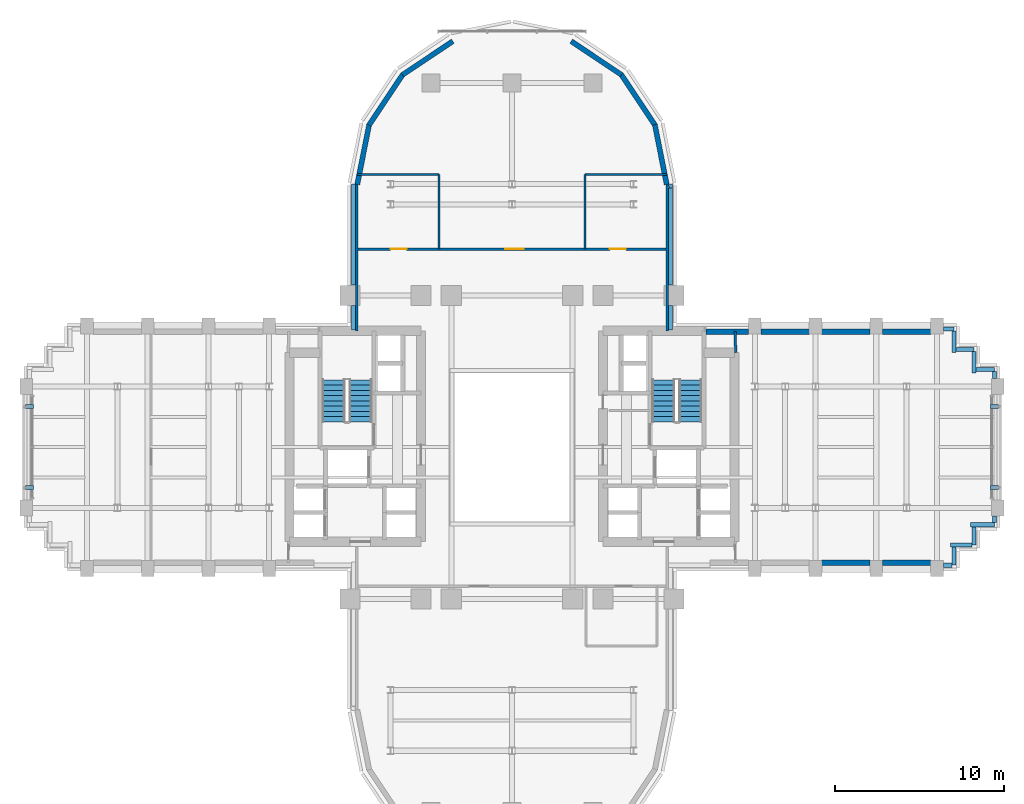
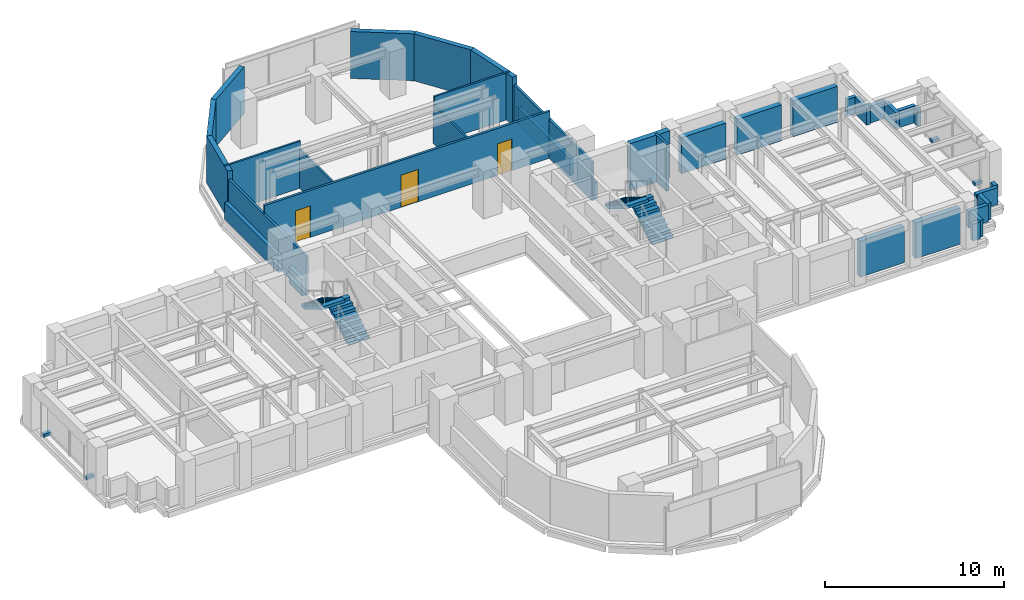
# One storey, part 12 of 16: 37 walls, 4 discrete accessories, 4 stair flights, 3 doors, 3 openings, 2 elements without a shape of their own.
"""IFC4 building model written with IfcOpenShell, lengths in metres."""

import ifcopenshell
import ifcopenshell.guid

model = None  # the IFC model being written
_history = None  # IfcOwnerHistory: only IFC2X3 demands one
_inside = {}  # id of a spatial element -> (the spatial element, [elements in it])
_under = {}  # id of a project, library or spatial element -> (it, [spatial elements below it])
_declared = {}  # id of a project -> (the project, [libraries it declares])
_typed = {}  # id of a type object -> (the type object, [elements of that type])
_made_of = {}  # id of a material, layer set ... -> (it, [elements and type objects made of it])


def new_model(schema):
    """Start an empty IFC model of exactly this schema.

    Asked for "IFC4X3", IfcOpenShell would pick the latest addendum, in which some entities
    have other attributes; the version numbers below select the first issue.
    IFC2X3 requires an IfcOwnerHistory on every rooted entity: one is made here for all.
    """
    global model, _history
    if schema == "IFC4X3":
        model = ifcopenshell.file(schema_version=(4, 3, 0, 0))
    else:
        model = ifcopenshell.file(schema=schema)
    _inside.clear()
    _under.clear()
    _declared.clear()
    _typed.clear()
    _made_of.clear()
    _history = None
    if model.schema == "IFC2X3":
        org = make("IfcOrganization", Name="unknown")
        user = make(
            "IfcPersonAndOrganization",
            ThePerson=make("IfcPerson", FamilyName="unknown"),
            TheOrganization=org,
        )
        app = make(
            "IfcApplication",
            ApplicationDeveloper=org,
            Version="unknown",
            ApplicationFullName="unknown",
            ApplicationIdentifier="unknown",
        )
        _history = make(
            "IfcOwnerHistory",
            OwningUser=user,
            OwningApplication=app,
            ChangeAction="ADDED",
            CreationDate=0,
        )
    return model


def make(cls, **values):
    """One entity of the class cls with the attributes given. An attribute that is None is left unset."""
    return model.create_entity(
        cls, **{name: value for name, value in values.items() if value is not None}
    )


def rooted(cls, **values):
    """An entity with a GlobalId (a new one), such as an element, a storey or a relation."""
    return make(cls, GlobalId=ifcopenshell.guid.new(), OwnerHistory=_history, **values)


def si_unit(unit_type, name, prefix=None):
    """IfcSIUnit, for example si_unit("LENGTHUNIT", "METRE", prefix="MILLI")."""
    return make("IfcSIUnit", UnitType=unit_type, Prefix=prefix, Name=name)


def assignment(units):
    """IfcUnitAssignment: the units of a project."""
    return None if units is None else make("IfcUnitAssignment", Units=units)


def point(xyz):
    """IfcCartesianPoint."""
    return None if xyz is None else make("IfcCartesianPoint", Coordinates=xyz)


def direction(xyz):
    """IfcDirection."""
    return None if xyz is None else make("IfcDirection", DirectionRatios=xyz)


def frame(location, z_axis=None, x_axis=None):
    """IfcAxis2Placement3D, a coordinate frame: its origin and axes. An axis left out is left unset."""
    return make(
        "IfcAxis2Placement3D",
        Location=point(location),
        Axis=direction(z_axis),
        RefDirection=direction(x_axis),
    )


def frame_2d(location, x_axis=None):
    """IfcAxis2Placement2D, a coordinate frame in the plane: its origin and x axis."""
    return make(
        "IfcAxis2Placement2D", Location=point(location), RefDirection=direction(x_axis)
    )


def origin():
    """The frame at (0, 0, 0) with its axes left unset."""
    return frame((0.0, 0.0, 0.0))


def origin_2d():
    """The frame at (0, 0) in the plane with its x axis left unset."""
    return frame_2d((0.0, 0.0))


def place(relative_to, where):
    """IfcLocalPlacement: puts the frame where relative to a parent placement (None: the world)."""
    return make(
        "IfcLocalPlacement", PlacementRelTo=relative_to, RelativePlacement=where
    )


def context(
    kind, dimensions, precision=None, world=None, true_north=None, identifier=None
):
    """IfcGeometricRepresentationContext, for example the 3D "Model" context."""
    return make(
        "IfcGeometricRepresentationContext",
        ContextIdentifier=identifier,
        ContextType=kind,
        CoordinateSpaceDimension=dimensions,
        Precision=precision,
        WorldCoordinateSystem=world,
        TrueNorth=true_north,
    )


def subcontext(parent, identifier, kind, view, scale=None):
    """IfcGeometricRepresentationSubContext, for example "Body" below "Model"."""
    return make(
        "IfcGeometricRepresentationSubContext",
        ContextIdentifier=identifier,
        ContextType=kind,
        ParentContext=parent,
        TargetScale=scale,
        TargetView=view,
    )


def project(units=None, contexts=None):
    """IfcProject with its units and contexts."""
    return rooted(
        "IfcProject",
        Name="project",
        RepresentationContexts=contexts,
        UnitsInContext=assignment(units),
    )


def spatial(cls, under=None, at=None, **own):
    """A site, building, storey or space (cls), placed at a placement, below another one or the project."""
    s = rooted(cls, ObjectPlacement=at, **own)
    if under is not None:
        _under.setdefault(under.id(), (under, []))[1].append(s)
    return s


def polyline(points):
    """IfcPolyline through the points."""
    return make("IfcPolyline", Points=[point(p) for p in points])


def profile(cls, at=None, kind="AREA", **sizes):
    """A parametric profile (cls). Its sizes go by their IFC names, for example OverallWidth=200.0."""
    return make(cls, ProfileType=kind, Position=at, **sizes)


def rectangle(**sizes):
    """IfcRectangleProfileDef."""
    return profile("IfcRectangleProfileDef", **sizes)


def outline(outer, holes=None, kind="AREA"):
    """IfcArbitraryClosedProfileDef: a profile drawn as a closed curve; with holes, ...WithVoids."""
    if holes is None:
        return make("IfcArbitraryClosedProfileDef", ProfileType=kind, OuterCurve=outer)
    return make(
        "IfcArbitraryProfileDefWithVoids",
        ProfileType=kind,
        OuterCurve=outer,
        InnerCurves=holes,
    )


def extrude(swept, where, along, depth):
    """IfcExtrudedAreaSolid: the profile swept, set in the frame where, extruded along a direction by depth."""
    return make(
        "IfcExtrudedAreaSolid",
        SweptArea=swept,
        Position=where,
        ExtrudedDirection=direction(along),
        Depth=depth,
    )


def shape(context_of_items, identifier, shape_type, items):
    """IfcShapeRepresentation: the items that make up one representation, for example the "Body"."""
    return make(
        "IfcShapeRepresentation",
        ContextOfItems=context_of_items,
        RepresentationIdentifier=identifier,
        RepresentationType=shape_type,
        Items=items,
    )


def source(mapping_origin, context_of_items, identifier, shape_type, items):
    """IfcRepresentationMap: a shape defined once, which mapped items show again and again."""
    return make(
        "IfcRepresentationMap",
        MappingOrigin=mapping_origin,
        MappedRepresentation=shape(context_of_items, identifier, shape_type, items),
    )


def transform(
    local_origin,
    x_axis=None,
    y_axis=None,
    z_axis=None,
    scale=None,
    scale2=None,
    scale3=None,
    uniform=True,
):
    """IfcCartesianTransformationOperator3D, or its non-uniform kind. x_axis, y_axis, z_axis: its Axis1, 2, 3."""
    if uniform:
        return make(
            "IfcCartesianTransformationOperator3D",
            Axis1=direction(x_axis),
            Axis2=direction(y_axis),
            LocalOrigin=point(local_origin),
            Scale=scale,
            Axis3=direction(z_axis),
        )
    return make(
        "IfcCartesianTransformationOperator3DnonUniform",
        Axis1=direction(x_axis),
        Axis2=direction(y_axis),
        LocalOrigin=point(local_origin),
        Scale=scale,
        Axis3=direction(z_axis),
        Scale2=scale2,
        Scale3=scale3,
    )


def mapped(mapping_source, mapping_target):
    """IfcMappedItem: shows the shape of a source again, moved by a transform."""
    return make(
        "IfcMappedItem", MappingSource=mapping_source, MappingTarget=mapping_target
    )


def material(Name=None, Category=None):
    """IfcMaterial."""
    return make("IfcMaterial", Name=Name, Category=Category)


def layer(
    of_material, thickness, ventilated=None, Name=None, Category=None, Priority=None
):
    """IfcMaterialLayer: one layer of a wall or slab, of a material (None: an air gap)."""
    return make(
        "IfcMaterialLayer",
        Material=of_material,
        LayerThickness=thickness,
        IsVentilated=ventilated,
        Name=Name,
        Category=Category,
        Priority=Priority,
    )


def layer_set(layers, Name=None):
    """IfcMaterialLayerSet."""
    return make("IfcMaterialLayerSet", MaterialLayers=layers, LayerSetName=Name)


def made_of(thing, what):
    """Note that an element or type object is made of a material, layer set ...; save() writes the relation."""
    if what is not None:
        _made_of.setdefault(what.id(), (what, []))[1].append(thing)
    return thing


def type_object(cls, material=None, **own):
    """A type object (cls), such as IfcWallType, which elements share."""
    return made_of(rooted(cls, **own), material)


def element(
    cls,
    number,
    at=None,
    inside=None,
    cuts=None,
    type_object=None,
    material=None,
    context=None,
    identifier="Body",
    shape_type=None,
    held_by="IfcProductDefinitionShape",
    body=None,
    shapes=None,
    **own,
):
    """One element of the class cls, such as IfcWall. Its Tag is "e" and its number.

    at: its placement. inside: the storey or other place that contains it. cuts: it is an
    opening in that element (IfcRelVoidsElement). A single representation is given by context,
    identifier, shape_type and body (its items); several are given by shapes. held_by: the class
    of the entity that holds the representations. save() writes the other relations.
    """
    e = rooted(cls, Tag="e%d" % number, ObjectPlacement=at, **own)
    if body is not None:
        shapes = [shape(context, identifier, shape_type, body)]
    if shapes is not None:
        e.Representation = make(held_by, Representations=shapes)
    if inside is not None:
        _inside.setdefault(inside.id(), (inside, []))[1].append(e)
    if cuts is not None:
        rooted(
            "IfcRelVoidsElement", RelatingBuildingElement=cuts, RelatedOpeningElement=e
        )
    if type_object is not None:
        _typed.setdefault(type_object.id(), (type_object, []))[1].append(e)
    return made_of(e, material)


def fill(opening, filler):
    """IfcRelFillsElement: the door or window that sits in an opening."""
    return rooted(
        "IfcRelFillsElement",
        RelatingOpeningElement=opening,
        RelatedBuildingElement=filler,
    )


def aggregate(whole, parts):
    """IfcRelAggregates: a whole, such as a stair, and the parts it consists of."""
    return rooted("IfcRelAggregates", RelatingObject=whole, RelatedObjects=parts)


def save(model, path):
    """Write the relations noted so far, then the file.

    IfcRelAggregates (storeys below a building ...), IfcRelContainedInSpatialStructure (elements
    in a storey), IfcRelDefinesByType, IfcRelAssociatesMaterial and IfcRelDeclares: one each for
    every whole, place, type object, material and project.
    """
    for whole, parts in _under.values():
        aggregate(whole, parts)
    for where, things in _inside.values():
        rooted(
            "IfcRelContainedInSpatialStructure",
            RelatedElements=things,
            RelatingStructure=where,
        )
    for kind, things in _typed.values():
        rooted("IfcRelDefinesByType", RelatedObjects=things, RelatingType=kind)
    for what, things in _made_of.values():
        rooted("IfcRelAssociatesMaterial", RelatedObjects=things, RelatingMaterial=what)
    for by, libraries in _declared.values():
        rooted("IfcRelDeclares", RelatingContext=by, RelatedDefinitions=libraries)
    model.write(path)


model = new_model("IFC4")

# Units and contexts
model_context = context("Model", 3, precision=1e-05, world=origin(), true_north=direction((0.0, 1.0)))
body_context = subcontext(model_context, "Body", "Model", "MODEL_VIEW")
ifc_project = project(units=[si_unit("LENGTHUNIT", "METRE"), si_unit("AREAUNIT", "SQUARE_METRE"), si_unit("VOLUMEUNIT", "CUBIC_METRE"), si_unit("PLANEANGLEUNIT", "RADIAN"), si_unit("MASSUNIT", "GRAM", prefix="KILO")], contexts=[model_context])

# Site, building, storey
site_placement = place(None, origin())
site = spatial("IfcSite", under=ifc_project, at=site_placement, CompositionType="ELEMENT")
building_placement = place(site_placement, origin())
building = spatial("IfcBuilding", under=site, at=building_placement, Name="Keilestroom Media Tower", CompositionType="ELEMENT")
storey_placement = place(building_placement, frame((0.0, 0.0, 64.60009765625)))
storey = spatial("IfcBuildingStorey", under=building, at=storey_placement, Name="L16", CompositionType="ELEMENT", Elevation=64.60009765625)

# Walls
ifc_material_1 = material(Name="Precast concrete C40/50", Category="concrete")
ifc_layer_1 = layer(ifc_material_1, 0.300048828125)
ifc_layer_set_1 = layer_set([ifc_layer_1], Name="Precast concrete C40/50")
wall_type_1 = type_object("IfcWallType", Name="Exterior-Masonry-Spandrel-Wall-300", PredefinedType="SOLIDWALL", material=ifc_layer_set_1)
for number, where, z_axis, x_axis, name in (
    (1, (9.1748046875, 15.585205078125, 0.0), (0.0, 0.0, 1.0), (-0.195114232679, 0.980780523974, 0.0), "L16 Lobe Facet Precast Frame Wall 01"),
    (2, (8.48193359375, 19.097412109375, 0.0), (0.0, 0.0, 1.0), (-0.555574187116, 0.831466970246, 0.0), "L16 Lobe Facet Precast Frame Wall 02"),
):
    element("IfcWall", number, at=place(storey_placement, frame(where, z_axis=z_axis, x_axis=x_axis)), inside=storey, type_object=wall_type_1, Name=name, PredefinedType="SOLIDWALL", context=body_context, shape_type="SweptSolid", body=[
        extrude(rectangle(XDim=3.608642578125, YDim=0.300048828125, at=frame_2d((1.80419921875, 0.0))), origin(), (0.0, 0.0, 1.0), 3.199951171875),
    ])
for number, where, z_axis, x_axis, name in (
    (3, (6.497802734375, 22.0771484375, 0.0), (0.0, 0.0, 1.0), (-0.8314749531, 0.555562239868, 0.0), "L16 Lobe Facet Precast Frame Wall 03"),
    (4, (-3.510009765625, 24.073486328125, 0.0), (0.0, 0.0, 1.0), (-0.8314749531, -0.555562239868, 0.0), "L16 Lobe Facet Precast Frame Wall 04"),
):
    element("IfcWall", number, at=place(storey_placement, frame(where, z_axis=z_axis, x_axis=x_axis)), inside=storey, type_object=wall_type_1, Name=name, PredefinedType="SOLIDWALL", context=body_context, shape_type="SweptSolid", body=[
        extrude(rectangle(XDim=3.59326171875, YDim=0.300048828125, at=frame_2d((1.796630859375, 0.0))), origin(), (0.0, 0.0, 1.0), 3.199951171875),
    ])
for number, where, z_axis, x_axis, name in (
    (5, (-6.47705078125, 22.097900390625, 0.0), (0.0, 0.0, 1.0), (-0.555574187116, -0.831466970246, 0.0), "L16 Lobe Facet Precast Frame Wall 05"),
    (6, (-8.470703125, 19.12451171875, 0.0), (0.0, 0.0, 1.0), (-0.195114232679, -0.980780523974, 0.0), "L16 Lobe Facet Precast Frame Wall 06"),
):
    element("IfcWall", number, at=place(storey_placement, frame(where, z_axis=z_axis, x_axis=x_axis)), inside=storey, type_object=wall_type_1, Name=name, PredefinedType="SOLIDWALL", context=body_context, shape_type="SweptSolid", body=[
        extrude(rectangle(XDim=3.608642578125, YDim=0.300048828125, at=frame_2d((1.80419921875, 0.0))), origin(), (0.0, 0.0, 1.0), 3.199951171875),
    ])
ifc_layer_2 = layer(ifc_material_1, 0.340087890625)
ifc_layer_set_2 = layer_set([ifc_layer_2], Name="Precast concrete C40/50")
wall_type_2 = type_object("IfcWallType", Name="Exterior-Masonry-Spandrel-Wall-340", PredefinedType="SOLIDWALL", material=ifc_layer_set_2)
wall_1_placement = place(storey_placement, frame((11.498046875, 6.85009765625, 0.0), z_axis=(0.0, 0.0, 1.0), x_axis=(1.0, 0.0, 0.0)))
element("IfcWall", 7, at=wall_1_placement, inside=storey, type_object=wall_type_2, Name="L16 Flank Masonry Wall EWL-L16-NE-1", PredefinedType="SOLIDWALL", context=body_context, shape_type="SweptSolid", body=[
    extrude(rectangle(XDim=2.534912109375, YDim=0.340087890625, at=frame_2d((1.267578125, 0.0))), origin(), (0.0, 0.0, 1.0), 3.199951171875),
])
for number, where, z_axis, x_axis, name in (
    (8, (14.76708984375, 6.85009765625, 0.0), (0.0, 0.0, 1.0), (1.0, 0.0, 0.0), "L16 Flank Masonry Wall EWL-L16-NE-2"),
    (9, (18.366943359375, 6.85009765625, 0.0), (0.0, 0.0, 1.0), (1.0, 0.0, 0.0), "L16 Flank Masonry Wall EWL-L16-NE-3"),
    (10, (21.967041015625, 6.85009765625, 0.0), (0.0, 0.0, 1.0), (1.0, 0.0, 0.0), "L16 Flank Masonry Wall EWL-L16-NE-4"),
    (11, (18.366943359375, -6.85009765625, 0.0), (0.0, 0.0, 1.0), (1.0, 0.0, 0.0), "L16 Flank Masonry Wall EWL-L16-SE-3"),
    (12, (21.967041015625, -6.85009765625, 0.0), (0.0, 0.0, 1.0), (1.0, 0.0, 0.0), "L16 Flank Masonry Wall EWL-L16-SE-4"),
):
    element("IfcWall", number, at=place(storey_placement, frame(where, z_axis=z_axis, x_axis=x_axis)), inside=storey, type_object=wall_type_2, Name=name, PredefinedType="SOLIDWALL", context=body_context, shape_type="SweptSolid", body=[
        extrude(rectangle(XDim=2.865966796875, YDim=0.340087890625, at=frame_2d((1.43310546875, 0.0))), origin(), (0.0, 0.0, 1.0), 2.449951171875),
    ])
ifc_material_2 = material(Name="Gypsum Plasterboard & Steel Stud", Category="steel")
ifc_layer_3 = layer(ifc_material_2, 0.1201171875)
ifc_layer_set_3 = layer_set([ifc_layer_3], Name="Gypsum Plasterboard & Steel Stud")
wall_type_3 = type_object("IfcWallType", Name="Interior-Partition-Wall-120", PredefinedType="PARTITIONING", material=ifc_layer_set_3)
for number, where, z_axis, x_axis, name in (
    (13, (-9.199951171875, 16.169921875, 0.0), (0.0, 0.0, 1.0), (1.0, 0.0, 0.0), "L16 Interior Wall WP-L16-NL-HW"),
    (14, (4.320068359375, 16.169921875, 0.0), (0.0, 0.0, 1.0), (1.0, 0.0, 0.0), "L16 Interior Wall WP-L16-NL-HE"),
):
    element("IfcWall", number, at=place(storey_placement, frame(where, z_axis=z_axis, x_axis=x_axis)), inside=storey, type_object=wall_type_3, Name=name, PredefinedType="PARTITIONING", context=body_context, shape_type="SweptSolid", body=[
        extrude(rectangle(XDim=4.8798828125, YDim=0.1201171875, at=frame_2d((2.43994140625, 0.0))), origin(), (0.0, 0.0, 1.0), 3.199951171875),
    ])
for number, where, z_axis, x_axis, name in (
    (15, (-4.320068359375, 11.75, 0.0), (0.0, 0.0, 1.0), (0.0, 1.0, 0.0), "L16 Interior Wall WP-L16-NL-VW2"),
    (16, (4.320068359375, 11.75, 0.0), (0.0, 0.0, 1.0), (0.0, 1.0, 0.0), "L16 Interior Wall WP-L16-NL-VE2"),
):
    element("IfcWall", number, at=place(storey_placement, frame(where, z_axis=z_axis, x_axis=x_axis)), inside=storey, type_object=wall_type_3, Name=name, PredefinedType="PARTITIONING", context=body_context, shape_type="SweptSolid", body=[
        extrude(rectangle(XDim=4.419921875, YDim=0.1201171875, at=frame_2d((2.2099609375, 0.0))), origin(), (0.0, 0.0, 1.0), 2.64990234375),
    ])

# Wall, openings, doors
ifc_layer_4 = layer(ifc_material_2, 0.14990234375)
ifc_layer_set_4 = layer_set([ifc_layer_4], Name="Gypsum Plasterboard & Steel Stud")
wall_type_4 = type_object("IfcWallType", Name="Interior-Partition-Wall-150", PredefinedType="PARTITIONING", material=ifc_layer_set_4)
wall_2_placement = place(storey_placement, frame((-9.199951171875, 11.75, 0.0), z_axis=(0.0, 0.0, 1.0), x_axis=(1.0, 0.0, 0.0)))
wall_2 = element("IfcWall", 17, at=wall_2_placement, inside=storey, type_object=wall_type_4, Name="L16 Interior Wall WP-L16-NL-BASE", PredefinedType="PARTITIONING", context=body_context, shape_type="SweptSolid", body=[
    extrude(rectangle(XDim=18.39990234375, YDim=0.14990234375, at=frame_2d((9.199951171875, 0.0))), origin(), (0.0, 0.0, 1.0), 3.199951171875),
])
opening_1_placement = place(wall_2_placement, frame((2.0, 0.0, 0.0)))
opening_1 = element("IfcOpeningElement", 18, at=opening_1_placement, cuts=wall_2, Name="Opening DI-03", PredefinedType="OPENING", context=body_context, shape_type="SweptSolid", body=[
    extrude(rectangle(XDim=0.949951171875, YDim=2.14990234375, at=frame_2d((0.47509765625, 1.074951171875))), frame((0.0, 0.0849609375, 0.0), z_axis=(0.0, -1.0, 0.0), x_axis=(1.0, 0.0, 0.0)), (0.0, 0.0, 1.0), 0.169921875),
])
opening_2_placement = place(wall_2_placement, frame((15.0, 0.0, 0.0)))
opening_2 = element("IfcOpeningElement", 19, at=opening_2_placement, cuts=wall_2, Name="Opening DI-03", PredefinedType="OPENING", context=body_context, shape_type="SweptSolid", body=[
    extrude(rectangle(XDim=0.949951171875, YDim=2.14990234375, at=frame_2d((0.47509765625, 1.074951171875))), frame((0.0, 0.0849609375, 0.0), z_axis=(0.0, -1.0, 0.0), x_axis=(1.0, 0.0, 0.0)), (0.0, 0.0, 1.0), 0.169921875),
])
opening_3_placement = place(wall_2_placement, frame((8.800048828125, 0.0, 0.0)))
opening_3 = element("IfcOpeningElement", 20, at=opening_3_placement, cuts=wall_2, Name="Opening DI-04", PredefinedType="OPENING", context=body_context, shape_type="SweptSolid", body=[
    extrude(rectangle(XDim=1.10009765625, YDim=2.199951171875, at=frame_2d((0.550048828125, 1.10009765625))), frame((0.0, 0.0849609375, 0.0), z_axis=(0.0, -1.0, 0.0), x_axis=(1.0, 0.0, 0.0)), (0.0, 0.0, 1.0), 0.169921875),
])
ifc_material_3 = material(Name="Lacquered European Oak Leaf", Category="wood")
door_type_1 = type_object("IfcDoorType", Name="Interior-Room-And-Suite-Door-DI-03", OperationType="NOTDEFINED", PredefinedType="DOOR", material=ifc_material_3)
shared_shape_1 = source(origin(), body_context, "Body", "SweptSolid", [
    extrude(rectangle(XDim=0.949951171875, YDim=2.14990234375, at=frame_2d((0.47509765625, 1.074951171875))), frame((0.0, 0.02490234375, 0.0), z_axis=(0.0, -1.0, 0.0), x_axis=(1.0, 0.0, 0.0)), (0.0, 0.0, 1.0), 0.050048828125),
])
door_1_placement = place(opening_1_placement, origin())
door_1 = element("IfcDoor", 21, at=door_1_placement, inside=storey, type_object=door_type_1, Name="L16 Interior Door DI-L16-DNL-FRW", OperationType="SINGLE_SWING_LEFT", OverallHeight=2.14990234375, OverallWidth=0.949951171875, PredefinedType="DOOR", context=body_context, shape_type="MappedRepresentation", body=[
    mapped(shared_shape_1, transform((0.0, 0.0, 0.0), x_axis=(1.0, 0.0, 0.0), y_axis=(0.0, 1.0, 0.0), z_axis=(0.0, 0.0, 1.0), scale=1.0)),
])
fill(opening_1, door_1)
door_2_placement = place(opening_2_placement, origin())
door_2 = element("IfcDoor", 22, at=door_2_placement, inside=storey, type_object=door_type_1, Name="L16 Interior Door DI-L16-DNL-FRE", OperationType="SINGLE_SWING_RIGHT", OverallHeight=2.14990234375, OverallWidth=0.949951171875, PredefinedType="DOOR", context=body_context, shape_type="MappedRepresentation", body=[
    mapped(shared_shape_1, transform((0.0, 0.0, 0.0), x_axis=(1.0, 0.0, 0.0), y_axis=(0.0, 1.0, 0.0), z_axis=(0.0, 0.0, 1.0), scale=1.0)),
])
fill(opening_2, door_2)
ifc_material_4 = material(Name="Acoustic Glazed Aluminium Leaf", Category="aluminium")
door_type_2 = type_object("IfcDoorType", Name="Interior-Room-And-Suite-Door-DI-04", OperationType="NOTDEFINED", PredefinedType="DOOR", material=ifc_material_4)
shared_shape_2 = source(origin(), body_context, "Body", "SweptSolid", [
    extrude(rectangle(XDim=1.10009765625, YDim=2.199951171875, at=frame_2d((0.550048828125, 1.10009765625))), frame((0.0, 0.02490234375, 0.0), z_axis=(0.0, -1.0, 0.0), x_axis=(1.0, 0.0, 0.0)), (0.0, 0.0, 1.0), 0.050048828125),
])
door_3_placement = place(opening_3_placement, origin())
door_3 = element("IfcDoor", 23, at=door_3_placement, inside=storey, type_object=door_type_2, Name="L16 Interior Door DI-L16-DNL-REAR", OperationType="SINGLE_SWING_LEFT", OverallHeight=2.199951171875, OverallWidth=1.10009765625, PredefinedType="DOOR", context=body_context, shape_type="MappedRepresentation", body=[
    mapped(shared_shape_2, transform((0.0, 0.0, 0.0), x_axis=(1.0, 0.0, 0.0), y_axis=(0.0, 1.0, 0.0), z_axis=(0.0, 0.0, 1.0), scale=1.0)),
])
fill(opening_3, door_3)

# Walls
for number, where, z_axis, x_axis, name in (
    (24, (-9.199951171875, 6.89990234375, 0.0), (0.0, 0.0, 1.0), (0.0, 1.0, 0.0), "L16 Interior Wall WP-L16-NL-CHKW"),
    (25, (9.199951171875, 6.89990234375, 0.0), (0.0, 0.0, 1.0), (0.0, 1.0, 0.0), "L16 Interior Wall WP-L16-NL-CHKE"),
):
    element("IfcWall", number, at=place(storey_placement, frame(where, z_axis=z_axis, x_axis=x_axis)), inside=storey, type_object=wall_type_4, Name=name, PredefinedType="PARTITIONING", context=body_context, shape_type="SweptSolid", body=[
        extrude(rectangle(XDim=8.780029296875, YDim=0.14990234375, at=frame_2d((4.39013671875, 0.0))), origin(), (0.0, 0.0, 1.0), 2.64990234375),
    ])
wall_3_placement = place(storey_placement, frame((13.260009765625, 5.60009765625, 0.0), z_axis=(0.0, 0.0, 1.0), x_axis=(-0.016013571389, 0.999871774545, 0.0)))
element("IfcWall", 26, at=wall_3_placement, inside=storey, type_object=wall_type_4, Name="L16 Interior Wall WP-L16-EA-ENTN", PredefinedType="PARTITIONING", context=body_context, shape_type="SweptSolid", body=[
    extrude(rectangle(XDim=1.250244140625, YDim=0.14990234375, at=frame_2d((0.625, 0.0))), origin(), (0.0, 0.0, 1.0), 3.199951171875),
])
ifc_layer_5 = layer(ifc_material_1, 0.239990234375)
ifc_layer_set_5 = layer_set([ifc_layer_5], Name="Precast concrete C40/50")
wall_type_5 = type_object("IfcWallType", Name="Roof-And-Terrace-Parapet-Wall-240", PredefinedType="PARAPET", material=ifc_layer_set_5)
wall_4_placement = place(storey_placement, frame((28.60009765625, -4.60009765625, 0.0), z_axis=(0.0, 0.0, 1.0), x_axis=(-1.0, 0.0, 0.0)))
element("IfcWall", 27, at=wall_4_placement, inside=storey, type_object=wall_type_5, Name="L16 Perimeter Edge Parapet Wall 01", PredefinedType="PARAPET", context=body_context, shape_type="SweptSolid", body=[
    extrude(rectangle(XDim=1.400146484375, YDim=0.239990234375, at=frame_2d((0.7001953125, 0.0))), origin(), (0.0, 0.0, 1.0), 1.14990234375),
])
wall_5_placement = place(storey_placement, frame((27.39990234375, -4.722900390625, 0.0), z_axis=(0.0, 0.0, 1.0), x_axis=(0.0, -1.0, 0.0)))
element("IfcWall", 28, at=wall_5_placement, inside=storey, type_object=wall_type_5, Name="L16 Perimeter Edge Parapet Wall 02", PredefinedType="PARAPET", context=body_context, shape_type="SweptSolid", body=[
    extrude(rectangle(XDim=1.0771484375, YDim=0.239990234375, at=frame_2d((0.53857421875, 0.0))), origin(), (0.0, 0.0, 1.0), 1.14990234375),
])
wall_6_placement = place(storey_placement, frame((27.277099609375, -5.800048828125, 0.0), z_axis=(0.0, 0.0, 1.0), x_axis=(-1.0, 0.0, 0.0)))
element("IfcWall", 29, at=wall_6_placement, inside=storey, type_object=wall_type_5, Name="L16 Perimeter Edge Parapet Wall 03", PredefinedType="PARAPET", context=body_context, shape_type="SweptSolid", body=[
    extrude(rectangle(XDim=1.277099609375, YDim=0.239990234375, at=frame_2d((0.638671875, 0.0))), origin(), (0.0, 0.0, 1.0), 1.14990234375),
])
wall_7_placement = place(storey_placement, frame((26.199951171875, -5.923095703125, 0.0), z_axis=(0.0, 0.0, 1.0), x_axis=(0.0, -1.0, 0.0)))
element("IfcWall", 30, at=wall_7_placement, inside=storey, type_object=wall_type_5, Name="L16 Perimeter Edge Parapet Wall 04", PredefinedType="PARAPET", context=body_context, shape_type="SweptSolid", body=[
    extrude(rectangle(XDim=1.076904296875, YDim=0.239990234375, at=frame_2d((0.53857421875, 0.0))), origin(), (0.0, 0.0, 1.0), 1.14990234375),
])
wall_8_placement = place(storey_placement, frame((26.076904296875, -7.0, 0.0), z_axis=(0.0, 0.0, 1.0), x_axis=(-1.0, 0.0, 0.0)))
element("IfcWall", 31, at=wall_8_placement, inside=storey, type_object=wall_type_5, Name="L16 Perimeter Edge Parapet Wall 05", PredefinedType="PARAPET", context=body_context, shape_type="SweptSolid", body=[
    extrude(rectangle(XDim=0.4990234375, YDim=0.239990234375, at=frame_2d((0.24951171875, 0.0))), origin(), (0.0, 0.0, 1.0), 1.14990234375),
])
wall_9_placement = place(storey_placement, frame((-9.39990234375, 6.952880859375, 0.0), z_axis=(0.0, 0.0, 1.0), x_axis=(0.0, 1.0, 0.0)))
element("IfcWall", 32, at=wall_9_placement, inside=storey, type_object=wall_type_5, Name="L16 Perimeter Edge Parapet Wall 26", PredefinedType="PARAPET", context=body_context, shape_type="SweptSolid", body=[
    extrude(rectangle(XDim=1.444091796875, YDim=0.239990234375, at=frame_2d((0.72216796875, 0.0))), origin(), (0.0, 0.0, 1.0), 1.14990234375),
])
wall_10_placement = place(storey_placement, frame((-9.39990234375, 9.60302734375, 0.0), z_axis=(0.0, 0.0, 1.0), x_axis=(0.0, 1.0, 0.0)))
element("IfcWall", 33, at=wall_10_placement, inside=storey, type_object=wall_type_5, Name="L16 Perimeter Edge Parapet Wall 27", PredefinedType="PARAPET", context=body_context, shape_type="SweptSolid", body=[
    extrude(rectangle(XDim=5.999755859375, YDim=0.239990234375, at=frame_2d((3.0, 0.0))), origin(), (0.0, 0.0, 1.0), 1.14990234375),
])
wall_11_placement = place(storey_placement, frame((9.395263671875, 15.604248046875, 0.0), z_axis=(0.0, 0.0, 1.0), x_axis=(0.194652052864, -0.980872355771, 0.0)))
element("IfcWall", 34, at=wall_11_placement, inside=storey, type_object=wall_type_5, Name="L16 Perimeter Edge Parapet Wall 28", PredefinedType="PARAPET", context=body_context, shape_type="SweptSolid", body=[
    extrude(rectangle(XDim=0.224609375, YDim=0.239990234375, at=frame_2d((0.1123046875, 0.0))), origin(), (0.0, 0.0, 1.0), 1.14990234375),
])
wall_12_placement = place(storey_placement, frame((9.39990234375, 15.357666015625, 0.0), z_axis=(0.0, 0.0, 1.0), x_axis=(0.0, -1.0, 0.0)))
element("IfcWall", 35, at=wall_12_placement, inside=storey, type_object=wall_type_5, Name="L16 Perimeter Edge Parapet Wall 29", PredefinedType="PARAPET", context=body_context, shape_type="SweptSolid", body=[
    extrude(rectangle(XDim=5.754638671875, YDim=0.239990234375, at=frame_2d((2.87744140625, 0.0))), origin(), (0.0, 0.0, 1.0), 1.14990234375),
])
wall_13_placement = place(storey_placement, frame((9.39990234375, 8.39697265625, 0.0), z_axis=(0.0, 0.0, 1.0), x_axis=(0.0, -1.0, 0.0)))
element("IfcWall", 36, at=wall_13_placement, inside=storey, type_object=wall_type_5, Name="L16 Perimeter Edge Parapet Wall 30", PredefinedType="PARAPET", context=body_context, shape_type="SweptSolid", body=[
    extrude(rectangle(XDim=1.444091796875, YDim=0.239990234375, at=frame_2d((0.72216796875, 0.0))), origin(), (0.0, 0.0, 1.0), 1.14990234375),
])
wall_14_placement = place(storey_placement, frame((25.577880859375, 7.0, 0.0), z_axis=(0.0, 0.0, 1.0), x_axis=(1.0, 0.0, 0.0)))
element("IfcWall", 37, at=wall_14_placement, inside=storey, type_object=wall_type_5, Name="L16 Perimeter Edge Parapet Wall 32", PredefinedType="PARAPET", context=body_context, shape_type="SweptSolid", body=[
    extrude(rectangle(XDim=0.6220703125, YDim=0.239990234375, at=frame_2d((0.31103515625, 0.0))), origin(), (0.0, 0.0, 1.0), 1.14990234375),
])
wall_15_placement = place(storey_placement, frame((26.199951171875, 6.876953125, 0.0), z_axis=(0.0, 0.0, 1.0), x_axis=(0.0, -1.0, 0.0)))
element("IfcWall", 38, at=wall_15_placement, inside=storey, type_object=wall_type_5, Name="L16 Perimeter Edge Parapet Wall 33", PredefinedType="PARAPET", context=body_context, shape_type="SweptSolid", body=[
    extrude(rectangle(XDim=1.27685546875, YDim=0.239990234375, at=frame_2d((0.638427734375, 0.0))), origin(), (0.0, 0.0, 1.0), 1.14990234375),
])
wall_16_placement = place(storey_placement, frame((26.322998046875, 5.800048828125, 0.0), z_axis=(0.0, 0.0, 1.0), x_axis=(1.0, 0.0, 0.0)))
element("IfcWall", 39, at=wall_16_placement, inside=storey, type_object=wall_type_5, Name="L16 Perimeter Edge Parapet Wall 34", PredefinedType="PARAPET", context=body_context, shape_type="SweptSolid", body=[
    extrude(rectangle(XDim=1.076904296875, YDim=0.239990234375, at=frame_2d((0.53857421875, 0.0))), origin(), (0.0, 0.0, 1.0), 1.14990234375),
])
wall_17_placement = place(storey_placement, frame((27.39990234375, 5.677001953125, 0.0), z_axis=(0.0, 0.0, 1.0), x_axis=(0.0, -1.0, 0.0)))
element("IfcWall", 40, at=wall_17_placement, inside=storey, type_object=wall_type_5, Name="L16 Perimeter Edge Parapet Wall 35", PredefinedType="PARAPET", context=body_context, shape_type="SweptSolid", body=[
    extrude(rectangle(XDim=1.277099609375, YDim=0.239990234375, at=frame_2d((0.638671875, 0.0))), origin(), (0.0, 0.0, 1.0), 1.14990234375),
])
wall_18_placement = place(storey_placement, frame((27.52294921875, 4.60009765625, 0.0), z_axis=(0.0, 0.0, 1.0), x_axis=(1.0, 0.0, 0.0)))
element("IfcWall", 41, at=wall_18_placement, inside=storey, type_object=wall_type_5, Name="L16 Perimeter Edge Parapet Wall 36", PredefinedType="PARAPET", context=body_context, shape_type="SweptSolid", body=[
    extrude(rectangle(XDim=1.0771484375, YDim=0.239990234375, at=frame_2d((0.53857421875, 0.0))), origin(), (0.0, 0.0, 1.0), 1.14990234375),
])
for number, where, z_axis, x_axis, name in (
    (42, (28.60009765625, 4.47705078125, 0.0), (0.0, 0.0, 1.0), (0.0, -1.0, 0.0), "L16 Perimeter Edge Parapet Wall 37"),
    (43, (28.60009765625, -4.077880859375, 0.0), (0.0, 0.0, 1.0), (0.0, -1.0, 0.0), "L16 Perimeter Edge Parapet Wall 38"),
):
    element("IfcWall", number, at=place(storey_placement, frame(where, z_axis=z_axis, x_axis=x_axis)), inside=storey, type_object=wall_type_5, Name=name, PredefinedType="PARAPET", context=body_context, shape_type="SweptSolid", body=[
        extrude(rectangle(XDim=0.399169921875, YDim=0.239990234375, at=frame_2d((0.19970703125, 0.0))), origin(), (0.0, 0.0, 1.0), 1.14990234375),
    ])

# Stair, stair flights
ifc_material_5 = material(Name="Concrete C45/55", Category="concrete")
stair_type = type_object("IfcStairType", Name="Enclosed-Dog-Leg-Stair-ST-CORE", PredefinedType="HALF_TURN_STAIR", material=ifc_material_5)
stair_1_placement = place(storey_placement, origin())
stair_1 = element("IfcStair", 44, at=stair_1_placement, inside=storey, type_object=stair_type, Name="L16 West Core Escape Stair ST-1", PredefinedType="HALF_TURN_STAIR")
stair_flight_type = type_object("IfcStairFlightType", Name="Precast-Concrete-Stair-Flight-Core-160", PredefinedType="STRAIGHT", material=ifc_material_1)
stair_flight_1_placement = place(storey_placement, frame((-8.97998046875, 1.5, 0.0), z_axis=(0.0, 0.0, 1.0), x_axis=(0.0, 1.0, 0.0)))
stair_flight_1 = element("IfcStairFlight", 45, at=stair_flight_1_placement, type_object=stair_flight_type, Name="ST-1 flight 1", NumberOfRisers=9, NumberOfTreads=8, PredefinedType="STRAIGHT", RiserHeight=0.188888889, TreadLength=0.312, context=body_context, shape_type="SweptSolid", body=[
    extrude(outline(polyline([(0.0, 0.0), (0.0, 0.18896484375), (0.31201171875, 0.18896484375), (0.31201171875, 0.377685546875), (0.6240234375, 0.377685546875), (0.6240234375, 0.566650390625), (0.93603515625, 0.566650390625), (0.93603515625, 0.755615234375), (1.248046875, 0.755615234375), (1.248046875, 0.9443359375), (1.56005859375, 0.9443359375), (1.56005859375, 1.13330078125), (1.8720703125, 1.13330078125), (1.8720703125, 1.322265625), (2.18408203125, 1.322265625), (2.18408203125, 1.51123046875), (2.49609375, 1.51123046875), (2.49609375, 1.699951171875), (2.49609375, 1.32421875), (0.308837890625, 0.0), (0.0, 0.0)])), frame((0.0, 0.68017578125, 0.0), z_axis=(0.0, -1.0, 0.0), x_axis=(1.0, 0.0, 0.0)), (0.0, 0.0, 1.0), 1.360107421875),
])
stair_flight_2_placement = place(storey_placement, frame((-10.580078125, 3.99609375, 1.699951171875), z_axis=(0.0, 0.0, 1.0), x_axis=(0.0, -1.0, 0.0)))
stair_flight_2 = element("IfcStairFlight", 46, at=stair_flight_2_placement, type_object=stair_flight_type, Name="ST-1 flight 2", NumberOfRisers=9, NumberOfTreads=8, PredefinedType="STRAIGHT", RiserHeight=0.188888889, TreadLength=0.312, context=body_context, shape_type="SweptSolid", body=[
    extrude(outline(polyline([(0.0, 0.0), (0.0, 0.18896484375), (0.31201171875, 0.18896484375), (0.31201171875, 0.377685546875), (0.6240234375, 0.377685546875), (0.6240234375, 0.566650390625), (0.93603515625, 0.566650390625), (0.93603515625, 0.755615234375), (1.248046875, 0.755615234375), (1.248046875, 0.9443359375), (1.56005859375, 0.9443359375), (1.56005859375, 1.13330078125), (1.8720703125, 1.13330078125), (1.8720703125, 1.322265625), (2.18408203125, 1.322265625), (2.18408203125, 1.51123046875), (2.49609375, 1.51123046875), (2.49609375, 1.699951171875), (2.49609375, 1.32421875), (0.308837890625, 0.0), (0.0, 0.0)])), frame((0.0, 0.68017578125, 0.0), z_axis=(0.0, -1.0, 0.0), x_axis=(1.0, 0.0, 0.0)), (0.0, 0.0, 1.0), 1.360107421875),
])
aggregate(stair_1, [stair_flight_1, stair_flight_2])

stair_2_placement = place(storey_placement, origin())
stair_2 = element("IfcStair", 47, at=stair_2_placement, inside=storey, type_object=stair_type, Name="L16 East Core Escape Stair ST-2", PredefinedType="HALF_TURN_STAIR")
stair_flight_3_placement = place(storey_placement, frame((10.580078125, 1.5, 0.0), z_axis=(0.0, 0.0, 1.0), x_axis=(0.0, 1.0, 0.0)))
stair_flight_3 = element("IfcStairFlight", 48, at=stair_flight_3_placement, type_object=stair_flight_type, Name="ST-2 flight 1", NumberOfRisers=9, NumberOfTreads=8, PredefinedType="STRAIGHT", RiserHeight=0.188888889, TreadLength=0.312, context=body_context, shape_type="SweptSolid", body=[
    extrude(outline(polyline([(0.0, 0.0), (0.0, 0.18896484375), (0.31201171875, 0.18896484375), (0.31201171875, 0.377685546875), (0.6240234375, 0.377685546875), (0.6240234375, 0.566650390625), (0.93603515625, 0.566650390625), (0.93603515625, 0.755615234375), (1.248046875, 0.755615234375), (1.248046875, 0.9443359375), (1.56005859375, 0.9443359375), (1.56005859375, 1.13330078125), (1.8720703125, 1.13330078125), (1.8720703125, 1.322265625), (2.18408203125, 1.322265625), (2.18408203125, 1.51123046875), (2.49609375, 1.51123046875), (2.49609375, 1.699951171875), (2.49609375, 1.32421875), (0.308837890625, 0.0), (0.0, 0.0)])), frame((0.0, 0.68017578125, 0.0), z_axis=(0.0, -1.0, 0.0), x_axis=(1.0, 0.0, 0.0)), (0.0, 0.0, 1.0), 1.360107421875),
])
stair_flight_4_placement = place(storey_placement, frame((8.97998046875, 3.99609375, 1.699951171875), z_axis=(0.0, 0.0, 1.0), x_axis=(0.0, -1.0, 0.0)))
stair_flight_4 = element("IfcStairFlight", 49, at=stair_flight_4_placement, type_object=stair_flight_type, Name="ST-2 flight 2", NumberOfRisers=9, NumberOfTreads=8, PredefinedType="STRAIGHT", RiserHeight=0.188888889, TreadLength=0.312, context=body_context, shape_type="SweptSolid", body=[
    extrude(outline(polyline([(0.0, 0.0), (0.0, 0.18896484375), (0.31201171875, 0.18896484375), (0.31201171875, 0.377685546875), (0.6240234375, 0.377685546875), (0.6240234375, 0.566650390625), (0.93603515625, 0.566650390625), (0.93603515625, 0.755615234375), (1.248046875, 0.755615234375), (1.248046875, 0.9443359375), (1.56005859375, 0.9443359375), (1.56005859375, 1.13330078125), (1.8720703125, 1.13330078125), (1.8720703125, 1.322265625), (2.18408203125, 1.322265625), (2.18408203125, 1.51123046875), (2.49609375, 1.51123046875), (2.49609375, 1.699951171875), (2.49609375, 1.32421875), (0.308837890625, 0.0), (0.0, 0.0)])), frame((0.0, 0.68017578125, 0.0), z_axis=(0.0, -1.0, 0.0), x_axis=(1.0, 0.0, 0.0)), (0.0, 0.0, 1.0), 1.360107421875),
])
aggregate(stair_2, [stair_flight_3, stair_flight_4])

# Discrete accessories
ifc_material_6 = material(Name="Stainless Steel 1.4401", Category="steel")
discrete_accessory_type = type_object("IfcDiscreteAccessoryType", Name="Facade-Fin-Fixing-Bracket-BRK-1", PredefinedType="BRACKET", material=ifc_material_6)
shared_shape_3 = source(origin(), body_context, "Body", "SweptSolid", [
    extrude(rectangle(XDim=0.47998046875, YDim=0.239990234375, at=origin_2d()), origin(), (0.0, 0.0, 1.0), 0.199951171875),
])
for number, where, z_axis, x_axis, name in (
    (50, (-28.610107421875, -2.39990234375, -0.01025390625), (0.0, 0.0, 1.0), (1.0, 0.0, 0.0), "L16 Sunshade Fin Bracket BRK-1 017"),
    (51, (-28.610107421875, 2.39990234375, -0.01025390625), (0.0, 0.0, 1.0), (1.0, 0.0, 0.0), "L16 Sunshade Fin Bracket BRK-1 018"),
    (52, (28.610107421875, -2.39990234375, -0.01025390625), (0.0, 0.0, 1.0), (1.0, 0.0, 0.0), "L16 Sunshade Fin Bracket BRK-1 019"),
    (53, (28.610107421875, 2.39990234375, -0.01025390625), (0.0, 0.0, 1.0), (1.0, 0.0, 0.0), "L16 Sunshade Fin Bracket BRK-1 020"),
):
    element("IfcDiscreteAccessory", number, at=place(storey_placement, frame(where, z_axis=z_axis, x_axis=x_axis)), inside=storey, type_object=discrete_accessory_type, Name=name, PredefinedType="BRACKET", context=body_context, shape_type="MappedRepresentation", body=[
        mapped(shared_shape_3, transform((0.0, 0.0, 0.0), x_axis=(1.0, 0.0, 0.0), y_axis=(0.0, 1.0, 0.0), z_axis=(0.0, 0.0, 1.0), scale=1.0)),
    ])

save(model, "model.ifc")
